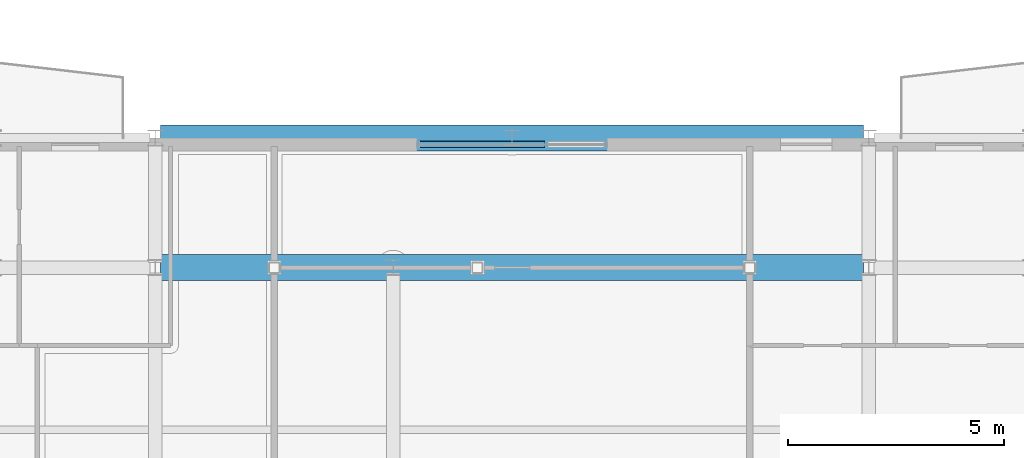
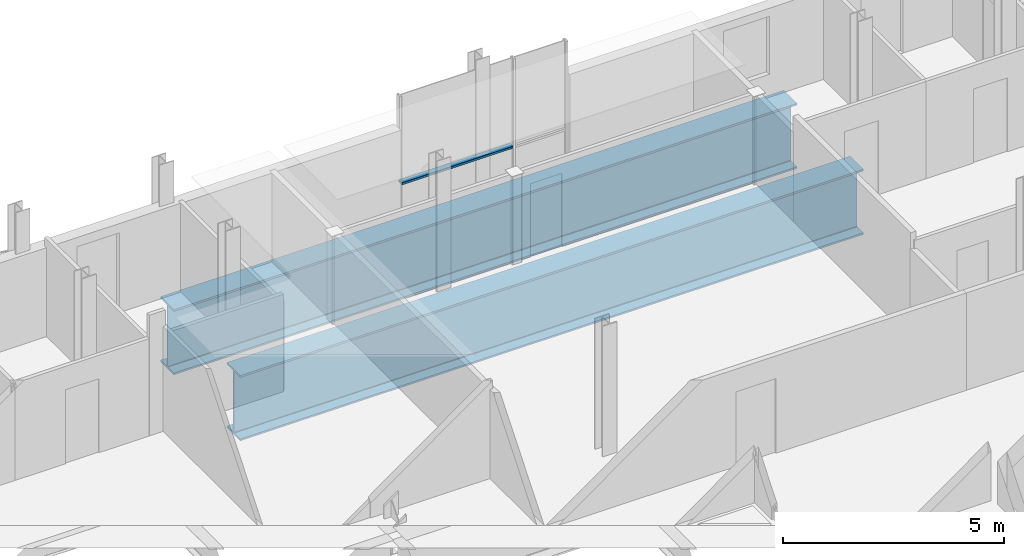
# One storey, part 11 of 35: 2 beams, 1 member, 1 element without a shape of its own.
"""IFC4 building model written with IfcOpenShell, lengths in metres."""

from ifc_helpers import new_model, si_unit, direction, frame, origin, origin_2d, place, context, subcontext, project, spatial, hollow_rectangle, i_section, extrude, material, layer, layer_set, material_profile, profile_set, type_object, element, aggregate, save


model = new_model("IFC4")

# Units and contexts
model_context = context("Model", 3, precision=1e-05, world=origin(), true_north=direction((0.0, 1.0)))
body_context = subcontext(model_context, "Body", "Model", "MODEL_VIEW")
ifc_project = project(units=[si_unit("LENGTHUNIT", "METRE"), si_unit("AREAUNIT", "SQUARE_METRE"), si_unit("VOLUMEUNIT", "CUBIC_METRE"), si_unit("PLANEANGLEUNIT", "RADIAN"), si_unit("MASSUNIT", "GRAM", prefix="KILO")], contexts=[model_context])

# Site, building, storey
site_placement = place(None, origin())
site = spatial("IfcSite", under=ifc_project, at=site_placement, CompositionType="ELEMENT")
building_placement = place(site_placement, origin())
building = spatial("IfcBuilding", under=site, at=building_placement, Name="Brevholm Reach", CompositionType="ELEMENT")
storey_placement = place(building_placement, frame((0.0, 0.0, 214.39990234375)))
storey = spatial("IfcBuildingStorey", under=building, at=storey_placement, Name="L65", CompositionType="ELEMENT", Elevation=214.39990234375)

# Beams
ifc_material_1 = material(Name="Structural Steel S460ML", Category="steel")
ifc_material_profile_1 = material_profile(ifc_material_1, i_section(OverallWidth=0.60009765625, OverallDepth=1.800048828125, WebThickness=0.034912109375, FlangeThickness=0.050048828125, FilletRadius=0.02392578125, at=origin_2d()), Name="PG 1800x600x50")
ifc_profile_set_1 = profile_set([ifc_material_profile_1], Name="Structural Steel S460ML")
beam_type = type_object("IfcBeamType", Name="BM-PG1800", PredefinedType="USERDEFINED", material=ifc_profile_set_1)
for number, where, z_axis, x_axis, name in (
    (1, (21.8701171875, 23.5, -1.31982421875), (1.0, 0.0, 0.0), (0.0, 1.0, 0.0), "L65 TG-01 Framing Beam"),
    (2, (21.8701171875, 26.5, -1.31982421875), (1.0, 0.0, 0.0), (0.0, 1.0, 0.0), "L65 TG-01 Framing Beam"),
):
    element("IfcBeam", number, at=place(storey_placement, frame(where, z_axis=z_axis, x_axis=x_axis)), inside=storey, type_object=beam_type, Name=name, ObjectType="GIRDER", PredefinedType="USERDEFINED", context=body_context, shape_type="SweptSolid", body=[
        extrude(i_section(OverallWidth=0.60009765625, OverallDepth=1.800048828125, WebThickness=0.034912109375, FlangeThickness=0.050048828125, FilletRadius=0.02392578125, at=origin_2d()), origin(), (0.0, 0.0, 1.0), 16.259765625),
    ])

# Curtain wall, member
ifc_material_2 = material(Name="Dark Anodised Aluminium 6063-T6 and Solar-Control Glass", Category="aluminium")
ifc_layer = layer(ifc_material_2, 0.14990234375)
ifc_layer_set = layer_set([ifc_layer], Name="Dark Anodised Aluminium 6063-T6 and Solar-Control Glass")
curtain_wall_type = type_object("IfcCurtainWallType", Name="CW-01", PredefinedType="NOTDEFINED", material=ifc_layer_set)
curtain_wall_placement = place(storey_placement, origin())
curtain_wall = element("IfcCurtainWall", 3, at=curtain_wall_placement, inside=storey, type_object=curtain_wall_type, Name="L65 Curtain Wall CW-01", PredefinedType="NOTDEFINED")
ifc_material_3 = material(Name="Dark Anodised Aluminium 6063-T6", Category="aluminium")
ifc_material_profile_2 = material_profile(ifc_material_3, hollow_rectangle(XDim=0.06494140625, YDim=0.14990234375, WallThickness=0.0048828125, InnerFilletRadius=0.0048828125, OuterFilletRadius=0.010009765625, at=origin_2d()), Name="RHS 150x65x5")
ifc_profile_set_2 = profile_set([ifc_material_profile_2], Name="Dark Anodised Aluminium 6063-T6")
member_type = type_object("IfcMemberType", Name="CWT-150", PredefinedType="NOTDEFINED", material=ifc_profile_set_2)
member_placement = place(storey_placement, frame((27.864990234375, 26.35009765625, 0.900146484375), z_axis=(1.0, 0.0, 0.0), x_axis=(0.0, 0.0, 1.0)))
member = element("IfcMember", 4, at=member_placement, type_object=member_type, Name="CT-150 Transom 1.1", ObjectType="TRANSOM", PredefinedType="USERDEFINED", context=body_context, shape_type="SweptSolid", body=[
    extrude(hollow_rectangle(XDim=0.06494140625, YDim=0.14990234375, WallThickness=0.0048828125, InnerFilletRadius=0.0048828125, OuterFilletRadius=0.010009765625, at=origin_2d()), origin(), (0.0, 0.0, 1.0), 2.902587890625),
])
aggregate(curtain_wall, [member])

save(model, "model.ifc")
